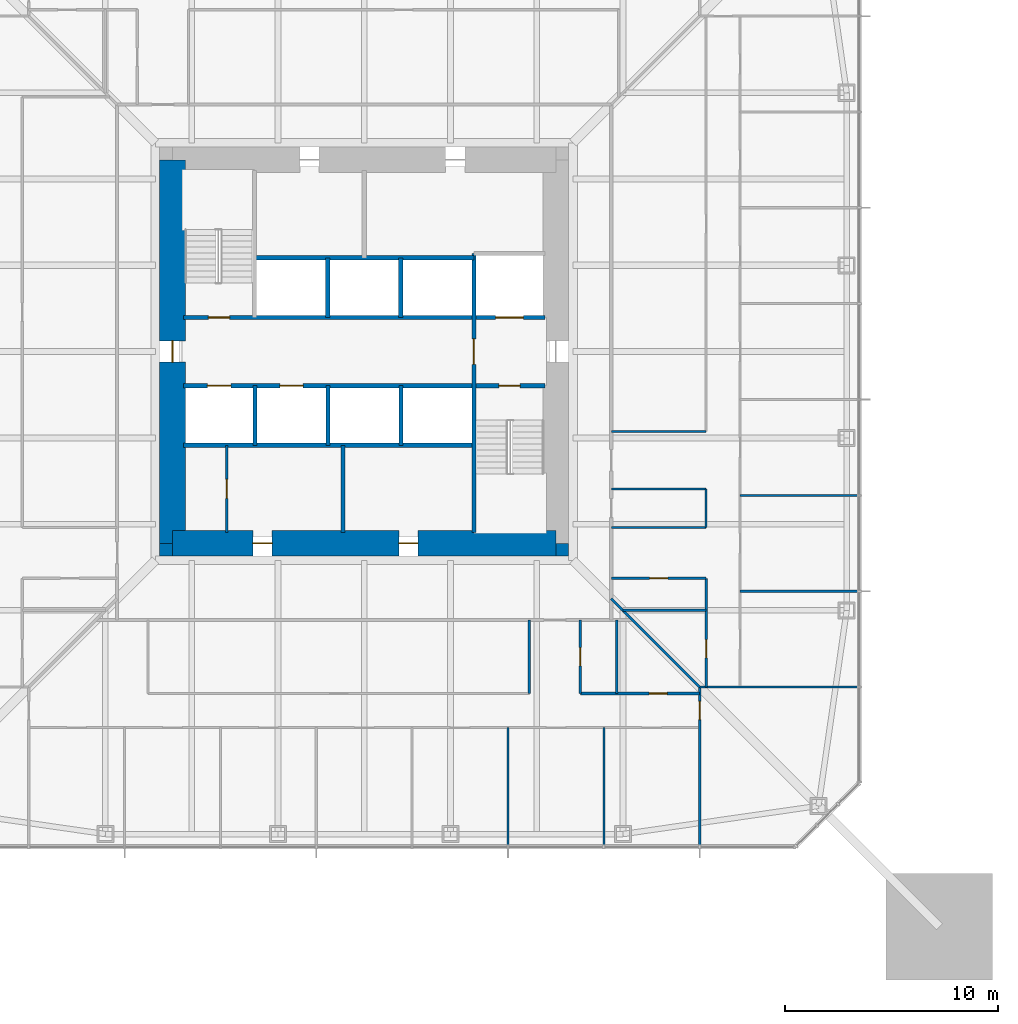
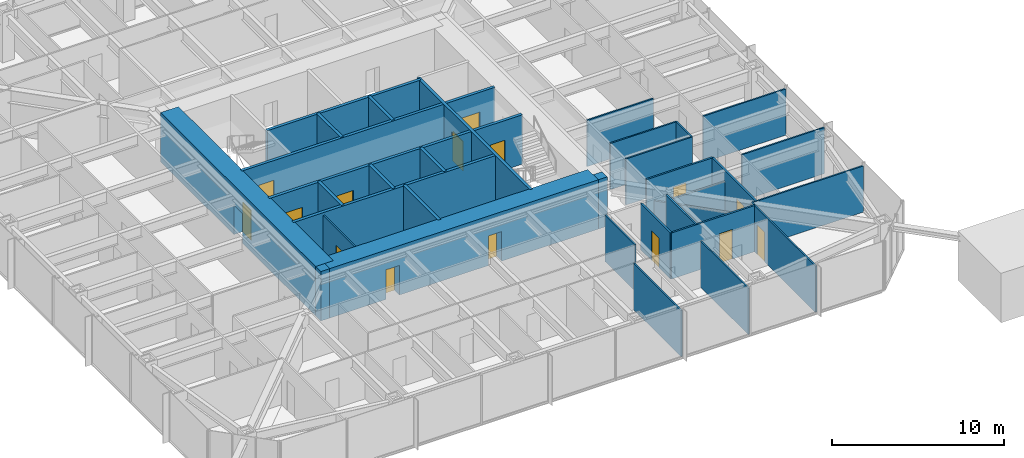
# One storey, part 15 of 26: 34 walls, 15 doors, 15 openings.
"""IFC4 building model written with IfcOpenShell, lengths in metres."""

from ifc_helpers import new_model, si_unit, direction, frame, frame_2d, origin, place, context, subcontext, project, spatial, rectangle, extrude, material, layer, layer_set, type_object, element, fill, save


model = new_model("IFC4")

# Units and contexts
model_context = context("Model", 3, precision=1e-05, world=origin(), true_north=direction((0.0, 1.0)))
body_context = subcontext(model_context, "Body", "Model", "MODEL_VIEW")
ifc_project = project(units=[si_unit("LENGTHUNIT", "METRE"), si_unit("AREAUNIT", "SQUARE_METRE"), si_unit("VOLUMEUNIT", "CUBIC_METRE"), si_unit("PLANEANGLEUNIT", "RADIAN"), si_unit("MASSUNIT", "GRAM", prefix="KILO")], contexts=[model_context])

# Site, building, storey
site_placement = place(None, origin())
site = spatial("IfcSite", under=ifc_project, at=site_placement, CompositionType="ELEMENT")
building_placement = place(site_placement, origin())
building = spatial("IfcBuilding", under=site, at=building_placement, Name="Iwan Alto Co-Living Towers", CompositionType="ELEMENT")
storey_placement = place(building_placement, frame((0.0, 0.0, 22.0)))
storey = spatial("IfcBuildingStorey", under=building, at=storey_placement, Name="L05", CompositionType="ELEMENT", Elevation=22.0)

# Walls
ifc_material_1 = material(Name="Gypsum board")
ifc_layer_1 = layer(ifc_material_1, 0.012451171875, Name="Board", Category="Finish")
ifc_material_2 = material(Name="Steel ASTM A1003 ST33H cold-formed studs", Category="steel")
ifc_layer_2 = layer(ifc_material_2, 0.074951171875, Name="Studs", Category="Framing")
ifc_layer_3 = layer(ifc_material_1, 0.012451171875, Name="Board", Category="Finish")
ifc_layer_set_1 = layer_set([ifc_layer_1, ifc_layer_2, ifc_layer_3], Name="PARTITION 100")
wall_type_1 = type_object("IfcWallType", Name="PARTITION 100", PredefinedType="PARTITIONING", material=ifc_layer_set_1)
wall_1_placement = place(storey_placement, frame((15.75, -15.75, 0.0), z_axis=(0.0, 0.0, 1.0), x_axis=(1.0, 0.0, 0.0)))
element("IfcWall", 1, at=wall_1_placement, inside=storey, type_object=wall_type_1, Name="Partition L05", PredefinedType="PARTITIONING", context=body_context, shape_type="SweptSolid", body=[
    extrude(rectangle(XDim=7.43994140625, YDim=0.10009765625, at=frame_2d((3.719970703125, 0.0))), origin(), (0.0, 0.0, 1.0), 3.27001953125),
])
wall_2_placement = place(storey_placement, frame((17.64990234375, -11.25, 0.0), z_axis=(0.0, 0.0, 1.0), x_axis=(1.0, 0.0, 0.0)))
element("IfcWall", 2, at=wall_2_placement, inside=storey, type_object=wall_type_1, Name="Partition L05", PredefinedType="PARTITIONING", context=body_context, shape_type="SweptSolid", body=[
    extrude(rectangle(XDim=5.5400390625, YDim=0.10009765625, at=frame_2d((2.77001953125, 0.0))), origin(), (0.0, 0.0, 1.0), 3.27001953125),
])
wall_3_placement = place(storey_placement, frame((11.60009765625, -8.25, 0.0), z_axis=(0.0, 0.0, 1.0), x_axis=(1.0, 0.0, 0.0)))
element("IfcWall", 3, at=wall_3_placement, inside=storey, type_object=wall_type_1, Name="Partition L05", PredefinedType="PARTITIONING", context=body_context, shape_type="SweptSolid", body=[
    extrude(rectangle(XDim=4.449951171875, YDim=0.10009765625, at=frame_2d((2.22509765625, 0.0))), origin(), (0.0, 0.0, 1.0), 3.27001953125),
])
wall_4_placement = place(storey_placement, frame((17.64990234375, -6.75, 0.0), z_axis=(0.0, 0.0, 1.0), x_axis=(1.0, 0.0, 0.0)))
element("IfcWall", 4, at=wall_4_placement, inside=storey, type_object=wall_type_1, Name="Partition L05", PredefinedType="PARTITIONING", context=body_context, shape_type="SweptSolid", body=[
    extrude(rectangle(XDim=5.5400390625, YDim=0.10009765625, at=frame_2d((2.77001953125, 0.0))), origin(), (0.0, 0.0, 1.0), 3.27001953125),
])
for number, where, z_axis, x_axis, name in (
    (5, (11.60009765625, -6.449951171875, 0.0), (0.0, 0.0, 1.0), (1.0, 0.0, 0.0), "Partition L05"),
    (6, (11.60009765625, -3.75, 0.0), (0.0, 0.0, 1.0), (1.0, 0.0, 0.0), "Partition L05"),
):
    element("IfcWall", number, at=place(storey_placement, frame(where, z_axis=z_axis, x_axis=x_axis)), inside=storey, type_object=wall_type_1, Name=name, PredefinedType="PARTITIONING", context=body_context, shape_type="SweptSolid", body=[
        extrude(rectangle(XDim=4.449951171875, YDim=0.10009765625, at=frame_2d((2.22509765625, 0.0))), origin(), (0.0, 0.0, 1.0), 3.27001953125),
    ])
wall_5_placement = place(storey_placement, frame((16.050048828125, -8.25, 0.0), z_axis=(0.0, 0.0, 1.0), x_axis=(0.0, 1.0, 0.0)))
element("IfcWall", 7, at=wall_5_placement, inside=storey, type_object=wall_type_1, Name="Partition L05", PredefinedType="PARTITIONING", context=body_context, shape_type="SweptSolid", body=[
    extrude(rectangle(XDim=1.800048828125, YDim=0.10009765625, at=frame_2d((0.89990234375, 0.0))), origin(), (0.0, 0.0, 1.0), 3.27001953125),
])

# Wall, opening, door
wall_6_placement = place(storey_placement, frame((15.75, -23.18994140625, 0.0), z_axis=(0.0, 0.0, 1.0), x_axis=(0.0, 1.0, 0.0)))
wall_6 = element("IfcWall", 8, at=wall_6_placement, inside=storey, type_object=wall_type_1, Name="Partition L05", PredefinedType="PARTITIONING", context=body_context, shape_type="SweptSolid", body=[
    extrude(rectangle(XDim=7.43994140625, YDim=0.10009765625, at=frame_2d((3.719970703125, 0.0))), origin(), (0.0, 0.0, 1.0), 3.27001953125),
])
opening_1_placement = place(wall_6_placement, frame((5.9150390625, 0.0, 0.0)))
opening_1 = element("IfcOpeningElement", 9, at=opening_1_placement, cuts=wall_6, Name="Opening D2", PredefinedType="OPENING", context=body_context, shape_type="SweptSolid", body=[
    extrude(rectangle(XDim=0.85009765625, YDim=2.10009765625, at=frame_2d((0.425048828125, 1.050048828125))), frame((0.0, 0.06005859375, 0.0), z_axis=(0.0, -1.0, 0.0), x_axis=(1.0, 0.0, 0.0)), (0.0, 0.0, 1.0), 0.1201171875),
])
ifc_material_3 = material(Name="Timber leaf in steel frame", Category="steel")
door_type_1 = type_object("IfcDoorType", Name="ROOM DOOR 850X2100", OperationType="SINGLE_SWING_LEFT", PredefinedType="DOOR", material=ifc_material_3)
door_1_placement = place(opening_1_placement, origin())
door_1 = element("IfcDoor", 10, at=door_1_placement, inside=storey, type_object=door_type_1, Name="Shared kitchen and lounge door L05", OperationType="SINGLE_SWING_LEFT", OverallHeight=2.10009765625, OverallWidth=0.85009765625, PredefinedType="DOOR", context=body_context, shape_type="SweptSolid", body=[
    extrude(rectangle(XDim=0.85009765625, YDim=2.10009765625, at=frame_2d((0.425048828125, 1.050048828125))), frame((0.0, 0.02490234375, 0.0), z_axis=(0.0, -1.0, 0.0), x_axis=(1.0, 0.0, 0.0)), (0.0, 0.0, 1.0), 0.050048828125),
])
fill(opening_1, door_1)

# Walls
wall_7_placement = place(storey_placement, frame((11.25, -23.18994140625, 0.0), z_axis=(0.0, 0.0, 1.0), x_axis=(0.0, 1.0, 0.0)))
element("IfcWall", 11, at=wall_7_placement, inside=storey, type_object=wall_type_1, Name="Partition L05", PredefinedType="PARTITIONING", context=body_context, shape_type="SweptSolid", body=[
    extrude(rectangle(XDim=5.5400390625, YDim=0.10009765625, at=frame_2d((2.77001953125, 0.0))), origin(), (0.0, 0.0, 1.0), 3.27001953125),
])
wall_8_placement = place(storey_placement, frame((7.75, -16.050048828125, 0.0), z_axis=(0.0, 0.0, 1.0), x_axis=(0.0, 1.0, 0.0)))
element("IfcWall", 12, at=wall_8_placement, inside=storey, type_object=wall_type_1, Name="Partition L05", PredefinedType="PARTITIONING", context=body_context, shape_type="SweptSolid", body=[
    extrude(rectangle(XDim=3.449951171875, YDim=0.10009765625, at=frame_2d((1.72509765625, 0.0))), origin(), (0.0, 0.0, 1.0), 3.27001953125),
])
wall_9_placement = place(storey_placement, frame((6.75, -23.18994140625, 0.0), z_axis=(0.0, 0.0, 1.0), x_axis=(0.0, 1.0, 0.0)))
element("IfcWall", 13, at=wall_9_placement, inside=storey, type_object=wall_type_1, Name="Partition L05", PredefinedType="PARTITIONING", context=body_context, shape_type="SweptSolid", body=[
    extrude(rectangle(XDim=5.5400390625, YDim=0.10009765625, at=frame_2d((2.77001953125, 0.0))), origin(), (0.0, 0.0, 1.0), 3.27001953125),
])

# Wall, opening, door
wall_10_placement = place(storey_placement, frame((-6.449951171875, -8.489990234375, 0.0), z_axis=(0.0, 0.0, 1.0), x_axis=(0.0, 1.0, 0.0)))
wall_10 = element("IfcWall", 14, at=wall_10_placement, inside=storey, type_object=wall_type_1, Name="Partition L05", PredefinedType="PARTITIONING", context=body_context, shape_type="SweptSolid", body=[
    extrude(rectangle(XDim=4.090087890625, YDim=0.10009765625, at=frame_2d((2.044921875, 0.0))), origin(), (0.0, 0.0, 1.0), 3.300048828125),
])
opening_2_placement = place(wall_10_placement, frame((1.594970703125, 0.0, 0.0)))
opening_2 = element("IfcOpeningElement", 15, at=opening_2_placement, cuts=wall_10, Name="Opening D16", PredefinedType="OPENING", context=body_context, shape_type="SweptSolid", body=[
    extrude(rectangle(XDim=0.89990234375, YDim=2.10009765625, at=frame_2d((0.449951171875, 1.050048828125))), frame((0.0, 0.06005859375, 0.0), z_axis=(0.0, -1.0, 0.0), x_axis=(1.0, 0.0, 0.0)), (0.0, 0.0, 1.0), 0.1201171875),
])
ifc_material_4 = material(Name="Timber leaf in steel frame", Category="steel")
door_type_2 = type_object("IfcDoorType", Name="CUPBOARD SLIDING DOOR 900X2100", OperationType="SLIDING_TO_LEFT", PredefinedType="DOOR", material=ifc_material_4)
door_2_placement = place(opening_2_placement, origin())
door_2 = element("IfcDoor", 16, at=door_2_placement, inside=storey, type_object=door_type_2, Name="Bin store door L05", OperationType="SLIDING_TO_LEFT", OverallHeight=2.10009765625, OverallWidth=0.89990234375, PredefinedType="DOOR", context=body_context, shape_type="SweptSolid", body=[
    extrude(rectangle(XDim=0.89990234375, YDim=2.10009765625, at=frame_2d((0.449951171875, 1.050048828125))), frame((0.0, 0.02490234375, 0.0), z_axis=(0.0, -1.0, 0.0), x_axis=(1.0, 0.0, 0.0)), (0.0, 0.0, 1.0), 0.050048828125),
])
fill(opening_2, door_2)

# Wall
ifc_material_5 = material(Name="Concrete f'c 70 MPa", Category="concrete")
ifc_layer_4 = layer(ifc_material_5, 0.199951171875)
ifc_layer_set_2 = layer_set([ifc_layer_4], Name="SHAFT WALL 200")
wall_type_2 = type_object("IfcWallType", Name="SHAFT WALL 200", PredefinedType="SOLIDWALL", material=ifc_layer_set_2)
wall_11_placement = place(storey_placement, frame((-8.489990234375, -4.39990234375, 0.0), z_axis=(0.0, 0.0, 1.0), x_axis=(1.0, 0.0, 0.0)))
element("IfcWall", 17, at=wall_11_placement, inside=storey, type_object=wall_type_2, Name="Shaft wall L05", PredefinedType="SOLIDWALL", context=body_context, shape_type="SweptSolid", body=[
    extrude(rectangle(XDim=13.639892578125, YDim=0.199951171875, at=frame_2d((6.81982421875, 0.0))), origin(), (0.0, 0.0, 1.0), 3.5),
])

# Wall, openings, doors
wall_12_placement = place(storey_placement, frame((-8.489990234375, -1.60009765625, 0.0), z_axis=(0.0, 0.0, 1.0), x_axis=(1.0, 0.0, 0.0)))
wall_12 = element("IfcWall", 18, at=wall_12_placement, inside=storey, type_object=wall_type_2, Name="Shaft wall L05", PredefinedType="SOLIDWALL", context=body_context, shape_type="SweptSolid", body=[
    extrude(rectangle(XDim=16.97998046875, YDim=0.199951171875, at=frame_2d((8.489990234375, 0.0))), origin(), (0.0, 0.0, 1.0), 3.5),
])
opening_3_placement = place(wall_12_placement, frame((14.81005859375, 0.0, 0.0)))
opening_3 = element("IfcOpeningElement", 19, at=opening_3_placement, cuts=wall_12, Name="Opening D5", PredefinedType="OPENING", context=body_context, shape_type="SweptSolid", body=[
    extrude(rectangle(XDim=1.0, YDim=2.10009765625, at=frame_2d((0.5, 1.050048828125))), frame((0.0, 0.10986328125, 0.0), z_axis=(0.0, -1.0, 0.0), x_axis=(1.0, 0.0, 0.0)), (0.0, 0.0, 1.0), 0.219970703125),
])
opening_4_placement = place(wall_12_placement, frame((1.133056640625, 0.0, 0.0)))
opening_4 = element("IfcOpeningElement", 20, at=opening_4_placement, cuts=wall_12, Name="Opening LD", PredefinedType="OPENING", context=body_context, shape_type="SweptSolid", body=[
    extrude(rectangle(XDim=1.10009765625, YDim=2.10009765625, at=frame_2d((0.550048828125, 1.050048828125))), frame((0.0, 0.10986328125, 0.0), z_axis=(0.0, -1.0, 0.0), x_axis=(1.0, 0.0, 0.0)), (0.0, 0.0, 1.0), 0.219970703125),
])
opening_5_placement = place(wall_12_placement, frame((4.528076171875, 0.0, 0.0)))
opening_5 = element("IfcOpeningElement", 21, at=opening_5_placement, cuts=wall_12, Name="Opening LD", PredefinedType="OPENING", context=body_context, shape_type="SweptSolid", body=[
    extrude(rectangle(XDim=1.10009765625, YDim=2.10009765625, at=frame_2d((0.550048828125, 1.050048828125))), frame((0.0, 0.10986328125, 0.0), z_axis=(0.0, -1.0, 0.0), x_axis=(1.0, 0.0, 0.0)), (0.0, 0.0, 1.0), 0.219970703125),
])
ifc_material_6 = material(Name="Steel frame with timber leaf", Category="steel")
door_type_3 = type_object("IfcDoorType", Name="LIFT LANDING DOOR 1100X2100", OperationType="DOUBLE_DOOR_SLIDING", PredefinedType="DOOR", material=ifc_material_6)
door_3_placement = place(opening_4_placement, origin())
door_3 = element("IfcDoor", 22, at=door_3_placement, inside=storey, type_object=door_type_3, Name="Lift P1-1 landing door L05", OperationType="DOUBLE_DOOR_SLIDING", OverallHeight=2.10009765625, OverallWidth=1.10009765625, PredefinedType="DOOR", context=body_context, shape_type="SweptSolid", body=[
    extrude(rectangle(XDim=1.10009765625, YDim=2.10009765625, at=frame_2d((0.550048828125, 1.050048828125))), frame((0.0, 0.02490234375, 0.0), z_axis=(0.0, -1.0, 0.0), x_axis=(1.0, 0.0, 0.0)), (0.0, 0.0, 1.0), 0.050048828125),
])
fill(opening_4, door_3)
door_4_placement = place(opening_5_placement, origin())
door_4 = element("IfcDoor", 23, at=door_4_placement, inside=storey, type_object=door_type_3, Name="Lift P1-2 landing door L05", OperationType="DOUBLE_DOOR_SLIDING", OverallHeight=2.10009765625, OverallWidth=1.10009765625, PredefinedType="DOOR", context=body_context, shape_type="SweptSolid", body=[
    extrude(rectangle(XDim=1.10009765625, YDim=2.10009765625, at=frame_2d((0.550048828125, 1.050048828125))), frame((0.0, 0.02490234375, 0.0), z_axis=(0.0, -1.0, 0.0), x_axis=(1.0, 0.0, 0.0)), (0.0, 0.0, 1.0), 0.050048828125),
])
fill(opening_5, door_4)
ifc_material_7 = material(Name="Steel frame with timber leaf", Category="steel")
door_type_4 = type_object("IfcDoorType", Name="STAIR DOOR FD120S 1000X2100", OperationType="SINGLE_SWING_LEFT", PredefinedType="DOOR", material=ifc_material_7)
door_5_placement = place(opening_3_placement, frame((1.0, 0.0, 0.0), z_axis=(0.0, 0.0, 1.0), x_axis=(-1.0, 0.0, 0.0)))
door_5 = element("IfcDoor", 24, at=door_5_placement, inside=storey, type_object=door_type_4, Name="Stair S2 door L05", OperationType="SINGLE_SWING_RIGHT", OverallHeight=2.10009765625, OverallWidth=1.0, PredefinedType="DOOR", context=body_context, shape_type="SweptSolid", body=[
    extrude(rectangle(XDim=1.0, YDim=2.10009765625, at=frame_2d((0.5, 1.050048828125))), frame((0.0, 0.02490234375, 0.0), z_axis=(0.0, -1.0, 0.0), x_axis=(1.0, 0.0, 0.0)), (0.0, 0.0, 1.0), 0.050048828125),
])
fill(opening_3, door_5)

wall_13_placement = place(storey_placement, frame((-8.489990234375, 1.60009765625, 0.0), z_axis=(0.0, 0.0, 1.0), x_axis=(1.0, 0.0, 0.0)))
wall_13 = element("IfcWall", 25, at=wall_13_placement, inside=storey, type_object=wall_type_2, Name="Shaft wall L05", PredefinedType="SOLIDWALL", context=body_context, shape_type="SweptSolid", body=[
    extrude(rectangle(XDim=16.97998046875, YDim=0.199951171875, at=frame_2d((8.489990234375, 0.0))), origin(), (0.0, 0.0, 1.0), 3.5),
])
opening_6_placement = place(wall_13_placement, frame((1.169921875, 0.0, 0.0)))
opening_6 = element("IfcOpeningElement", 26, at=opening_6_placement, cuts=wall_13, Name="Opening D5", PredefinedType="OPENING", context=body_context, shape_type="SweptSolid", body=[
    extrude(rectangle(XDim=1.0, YDim=2.10009765625, at=frame_2d((0.5, 1.050048828125))), frame((0.0, 0.10986328125, 0.0), z_axis=(0.0, -1.0, 0.0), x_axis=(1.0, 0.0, 0.0)), (0.0, 0.0, 1.0), 0.219970703125),
])
opening_7_placement = place(wall_13_placement, frame((14.659912109375, 0.0, 0.0)))
opening_7 = element("IfcOpeningElement", 27, at=opening_7_placement, cuts=wall_13, Name="Opening LD2", PredefinedType="OPENING", context=body_context, shape_type="SweptSolid", body=[
    extrude(rectangle(XDim=1.300048828125, YDim=2.10009765625, at=frame_2d((0.64990234375, 1.050048828125))), frame((0.0, 0.10986328125, 0.0), z_axis=(0.0, -1.0, 0.0), x_axis=(1.0, 0.0, 0.0)), (0.0, 0.0, 1.0), 0.219970703125),
])
ifc_material_8 = material(Name="Steel frame with timber leaf", Category="steel")
door_type_5 = type_object("IfcDoorType", Name="LIFT LANDING DOOR 1300X2100", OperationType="SLIDING_TO_LEFT", PredefinedType="DOOR", material=ifc_material_8)
door_6_placement = place(opening_7_placement, origin())
door_6 = element("IfcDoor", 28, at=door_6_placement, inside=storey, type_object=door_type_5, Name="Lift FL1 landing door L05", OperationType="SLIDING_TO_LEFT", OverallHeight=2.10009765625, OverallWidth=1.300048828125, PredefinedType="DOOR", context=body_context, shape_type="SweptSolid", body=[
    extrude(rectangle(XDim=1.300048828125, YDim=2.10009765625, at=frame_2d((0.64990234375, 1.050048828125))), frame((0.0, 0.02490234375, 0.0), z_axis=(0.0, -1.0, 0.0), x_axis=(1.0, 0.0, 0.0)), (0.0, 0.0, 1.0), 0.050048828125),
])
fill(opening_7, door_6)
door_7_placement = place(opening_6_placement, origin())
door_7 = element("IfcDoor", 29, at=door_7_placement, inside=storey, type_object=door_type_4, Name="Stair S1 door L05", OperationType="SINGLE_SWING_RIGHT", OverallHeight=2.10009765625, OverallWidth=1.0, PredefinedType="DOOR", context=body_context, shape_type="SweptSolid", body=[
    extrude(rectangle(XDim=1.0, YDim=2.10009765625, at=frame_2d((0.5, 1.050048828125))), frame((0.0, 0.02490234375, 0.0), z_axis=(0.0, -1.0, 0.0), x_axis=(1.0, 0.0, 0.0)), (0.0, 0.0, 1.0), 0.050048828125),
])
fill(opening_6, door_7)

# Wall
wall_14_placement = place(storey_placement, frame((-5.14990234375, 4.39990234375, 0.0), z_axis=(0.0, 0.0, 1.0), x_axis=(1.0, 0.0, 0.0)))
element("IfcWall", 30, at=wall_14_placement, inside=storey, type_object=wall_type_2, Name="Shaft wall L05", PredefinedType="SOLIDWALL", context=body_context, shape_type="SweptSolid", body=[
    extrude(rectangle(XDim=10.2998046875, YDim=0.199951171875, at=frame_2d((5.14990234375, 0.0))), origin(), (0.0, 0.0, 1.0), 3.5),
])

# Wall, opening, door
wall_15_placement = place(storey_placement, frame((5.14990234375, -8.489990234375, 0.0), z_axis=(0.0, 0.0, 1.0), x_axis=(0.0, 1.0, 0.0)))
wall_15 = element("IfcWall", 31, at=wall_15_placement, inside=storey, type_object=wall_type_2, Name="Shaft wall L05", PredefinedType="SOLIDWALL", context=body_context, shape_type="SweptSolid", body=[
    extrude(rectangle(XDim=13.090087890625, YDim=0.199951171875, at=frame_2d((6.544921875, 0.0))), origin(), (0.0, 0.0, 1.0), 3.5),
])
opening_8_placement = place(wall_15_placement, frame((7.889892578125, 0.0, 0.0)))
opening_8 = element("IfcOpeningElement", 32, at=opening_8_placement, cuts=wall_15, Name="Opening D6", PredefinedType="OPENING", context=body_context, shape_type="SweptSolid", body=[
    extrude(rectangle(XDim=1.199951171875, YDim=2.10009765625, at=frame_2d((0.60009765625, 1.050048828125))), frame((0.0, 0.10986328125, 0.0), z_axis=(0.0, -1.0, 0.0), x_axis=(1.0, 0.0, 0.0)), (0.0, 0.0, 1.0), 0.219970703125),
])
ifc_material_9 = material(Name="Steel frame with timber leaf", Category="steel")
door_type_6 = type_object("IfcDoorType", Name="LOBBY DOOR FD120S 1200X2100", OperationType="SINGLE_SWING_LEFT", PredefinedType="DOOR", material=ifc_material_9)
door_8_placement = place(opening_8_placement, frame((1.199951171875, 0.0, 0.0), z_axis=(0.0, 0.0, 1.0), x_axis=(-1.0, 0.0, 0.0)))
door_8 = element("IfcDoor", 33, at=door_8_placement, inside=storey, type_object=door_type_6, Name="Firefighting lobby door L05", OperationType="SINGLE_SWING_RIGHT", OverallHeight=2.10009765625, OverallWidth=1.199951171875, PredefinedType="DOOR", context=body_context, shape_type="SweptSolid", body=[
    extrude(rectangle(XDim=1.199951171875, YDim=2.10009765625, at=frame_2d((0.60009765625, 1.050048828125))), frame((0.0, 0.02490234375, 0.0), z_axis=(0.0, -1.0, 0.0), x_axis=(1.0, 0.0, 0.0)), (0.0, 0.0, 1.0), 0.050048828125),
])
fill(opening_8, door_8)

# Walls
for number, where, z_axis, x_axis, name in (
    (34, (1.72509765625, -4.39990234375, 0.0), (0.0, 0.0, 1.0), (0.0, 1.0, 0.0), "Shaft wall L05"),
    (35, (1.717041015625, 1.60009765625, 0.0), (0.0, 0.0, 1.0), (0.0, 1.0, 0.0), "Shaft wall L05"),
):
    element("IfcWall", number, at=place(storey_placement, frame(where, z_axis=z_axis, x_axis=x_axis)), inside=storey, type_object=wall_type_2, Name=name, PredefinedType="SOLIDWALL", context=body_context, shape_type="SweptSolid", body=[
        extrude(rectangle(XDim=2.7998046875, YDim=0.199951171875, at=frame_2d((1.39990234375, 0.0))), origin(), (0.0, 0.0, 1.0), 3.5),
    ])
wall_16_placement = place(storey_placement, frame((-1.0, -8.489990234375, 0.0), z_axis=(0.0, 0.0, 1.0), x_axis=(0.0, 1.0, 0.0)))
element("IfcWall", 36, at=wall_16_placement, inside=storey, type_object=wall_type_2, Name="Shaft wall L05", PredefinedType="SOLIDWALL", context=body_context, shape_type="SweptSolid", body=[
    extrude(rectangle(XDim=4.090087890625, YDim=0.199951171875, at=frame_2d((2.044921875, 0.0))), origin(), (0.0, 0.0, 1.0), 3.5),
])
for number, where, z_axis, x_axis, name in (
    (37, (-1.699951171875, -4.39990234375, 0.0), (0.0, 0.0, 1.0), (0.0, 1.0, 0.0), "Shaft wall L05"),
    (38, (-1.717041015625, 1.60009765625, 0.0), (0.0, 0.0, 1.0), (0.0, 1.0, 0.0), "Shaft wall L05"),
    (39, (-5.125, -4.39990234375, 0.0), (0.0, 0.0, 1.0), (0.0, 1.0, 0.0), "Shaft wall L05"),
):
    element("IfcWall", number, at=place(storey_placement, frame(where, z_axis=z_axis, x_axis=x_axis)), inside=storey, type_object=wall_type_2, Name=name, PredefinedType="SOLIDWALL", context=body_context, shape_type="SweptSolid", body=[
        extrude(rectangle(XDim=2.7998046875, YDim=0.199951171875, at=frame_2d((1.39990234375, 0.0))), origin(), (0.0, 0.0, 1.0), 3.5),
    ])
ifc_material_10 = material(Name="Concrete f'c 70 MPa", Category="concrete")
ifc_layer_5 = layer(ifc_material_10, 0.60009765625)
ifc_layer_set_3 = layer_set([ifc_layer_5], Name="T1 CORE CORNER FILL 600")
wall_type_3 = type_object("IfcWallType", Name="T1 CORE CORNER FILL 600", PredefinedType="SOLIDWALL", material=ifc_layer_set_3)
for number, where, z_axis, x_axis, name in (
    (40, (-9.60009765625, -9.300048828125, 0.0), (0.0, 0.0, 1.0), (1.0, 0.0, 0.0), "T1 core corner SW L05"),
    (41, (9.0, -9.300048828125, 0.0), (0.0, 0.0, 1.0), (1.0, 0.0, 0.0), "T1 core corner SE L05"),
):
    element("IfcWall", number, at=place(storey_placement, frame(where, z_axis=z_axis, x_axis=x_axis)), inside=storey, type_object=wall_type_3, Name=name, PredefinedType="SOLIDWALL", context=body_context, shape_type="SweptSolid", body=[
        extrude(rectangle(XDim=0.60009765625, YDim=0.60009765625, at=frame_2d((0.300048828125, 0.0))), origin(), (0.0, 0.0, 1.0), 3.5),
    ])

# Wall, openings, doors
ifc_material_11 = material(Name="Concrete f'c 70 MPa", Category="concrete")
ifc_layer_6 = layer(ifc_material_11, 1.199951171875)
ifc_layer_set_4 = layer_set([ifc_layer_6], Name="T1 CORE WALL 1200")
wall_type_4 = type_object("IfcWallType", Name="T1 CORE WALL 1200", PredefinedType="SHEAR", material=ifc_layer_set_4)
wall_17_placement = place(storey_placement, frame((-9.0, -9.0, 0.0), z_axis=(0.0, 0.0, 1.0), x_axis=(1.0, 0.0, 0.0)))
wall_17 = element("IfcWall", 42, at=wall_17_placement, inside=storey, type_object=wall_type_4, Name="T1 core wall S L05", PredefinedType="SHEAR", context=body_context, shape_type="SweptSolid", body=[
    extrude(rectangle(XDim=18.0, YDim=1.199951171875, at=frame_2d((9.0, 0.0))), origin(), (0.0, 0.0, 1.0), 3.5),
])
opening_9_placement = place(wall_17_placement, frame((3.77490234375, 0.0, 0.0)))
opening_9 = element("IfcOpeningElement", 43, at=opening_9_placement, cuts=wall_17, Name="Opening D8", PredefinedType="OPENING", context=body_context, shape_type="SweptSolid", body=[
    extrude(rectangle(XDim=0.89990234375, YDim=2.10009765625, at=frame_2d((0.449951171875, 1.050048828125))), frame((0.0, 0.60986328125, 0.0), z_axis=(0.0, -1.0, 0.0), x_axis=(1.0, 0.0, 0.0)), (0.0, 0.0, 1.0), 1.219970703125),
])
opening_10_placement = place(wall_17_placement, frame((10.625, 0.0, 0.0)))
opening_10 = element("IfcOpeningElement", 44, at=opening_10_placement, cuts=wall_17, Name="Opening D8", PredefinedType="OPENING", context=body_context, shape_type="SweptSolid", body=[
    extrude(rectangle(XDim=0.89990234375, YDim=2.10009765625, at=frame_2d((0.449951171875, 1.050048828125))), frame((0.0, 0.60986328125, 0.0), z_axis=(0.0, -1.0, 0.0), x_axis=(1.0, 0.0, 0.0)), (0.0, 0.0, 1.0), 1.219970703125),
])
ifc_material_12 = material(Name="Steel frame with timber leaf", Category="steel")
door_type_7 = type_object("IfcDoorType", Name="RISER DOOR FD120 900X2100", OperationType="SINGLE_SWING_LEFT", PredefinedType="DOOR", material=ifc_material_12)
door_9_placement = place(opening_9_placement, origin())
door_9 = element("IfcDoor", 45, at=door_9_placement, inside=storey, type_object=door_type_7, Name="Refuse room core door L05", OperationType="SINGLE_SWING_LEFT", OverallHeight=2.10009765625, OverallWidth=0.89990234375, PredefinedType="DOOR", context=body_context, shape_type="SweptSolid", body=[
    extrude(rectangle(XDim=0.89990234375, YDim=2.10009765625, at=frame_2d((0.449951171875, 1.050048828125))), frame((0.0, 0.02490234375, 0.0), z_axis=(0.0, -1.0, 0.0), x_axis=(1.0, 0.0, 0.0)), (0.0, 0.0, 1.0), 0.050048828125),
])
fill(opening_9, door_9)
door_10_placement = place(opening_10_placement, origin())
door_10 = element("IfcDoor", 46, at=door_10_placement, inside=storey, type_object=door_type_7, Name="Telecom riser core door L05", OperationType="SINGLE_SWING_LEFT", OverallHeight=2.10009765625, OverallWidth=0.89990234375, PredefinedType="DOOR", context=body_context, shape_type="SweptSolid", body=[
    extrude(rectangle(XDim=0.89990234375, YDim=2.10009765625, at=frame_2d((0.449951171875, 1.050048828125))), frame((0.0, 0.02490234375, 0.0), z_axis=(0.0, -1.0, 0.0), x_axis=(1.0, 0.0, 0.0)), (0.0, 0.0, 1.0), 0.050048828125),
])
fill(opening_10, door_10)

# Wall, opening, door
wall_18_placement = place(storey_placement, frame((-9.0, 9.0, 0.0), z_axis=(0.0, 0.0, 1.0), x_axis=(0.0, -1.0, 0.0)))
wall_18 = element("IfcWall", 47, at=wall_18_placement, inside=storey, type_object=wall_type_4, Name="T1 core wall W L05", PredefinedType="SHEAR", context=body_context, shape_type="SweptSolid", body=[
    extrude(rectangle(XDim=18.0, YDim=1.199951171875, at=frame_2d((9.0, 0.0))), origin(), (0.0, 0.0, 1.0), 3.5),
])
opening_11_placement = place(wall_18_placement, frame((8.5, 0.0, 0.0)))
opening_11 = element("IfcOpeningElement", 48, at=opening_11_placement, cuts=wall_18, Name="Opening D7", PredefinedType="OPENING", context=body_context, shape_type="SweptSolid", body=[
    extrude(rectangle(XDim=1.0, YDim=2.10009765625, at=frame_2d((0.5, 1.050048828125))), frame((0.0, 0.60986328125, 0.0), z_axis=(0.0, -1.0, 0.0), x_axis=(1.0, 0.0, 0.0)), (0.0, 0.0, 1.0), 1.219970703125),
])
ifc_material_13 = material(Name="Steel frame with timber leaf", Category="steel")
door_type_8 = type_object("IfcDoorType", Name="CORE DOOR FD120S 1000X2100", OperationType="SINGLE_SWING_LEFT", PredefinedType="DOOR", material=ifc_material_13)
door_11_placement = place(opening_11_placement, origin())
door_11 = element("IfcDoor", 49, at=door_11_placement, inside=storey, type_object=door_type_8, Name="Lift lobby core door L05", OperationType="SINGLE_SWING_RIGHT", OverallHeight=2.10009765625, OverallWidth=1.0, PredefinedType="DOOR", context=body_context, shape_type="SweptSolid", body=[
    extrude(rectangle(XDim=1.0, YDim=2.10009765625, at=frame_2d((0.5, 1.050048828125))), frame((0.0, 0.02490234375, 0.0), z_axis=(0.0, -1.0, 0.0), x_axis=(1.0, 0.0, 0.0)), (0.0, 0.0, 1.0), 0.050048828125),
])
fill(opening_11, door_11)

ifc_material_14 = material(Name="Cement board")
ifc_layer_7 = layer(ifc_material_14, 0.012451171875, Name="Board", Category="Finish")
ifc_layer_8 = layer(ifc_material_2, 0.094970703125, Name="Studs", Category="Framing")
ifc_layer_9 = layer(ifc_material_14, 0.012451171875, Name="Board", Category="Finish")
ifc_layer_set_5 = layer_set([ifc_layer_7, ifc_layer_8, ifc_layer_9], Name="WET AREA PARTITION 120")
wall_type_5 = type_object("IfcWallType", Name="WET AREA PARTITION 120", PredefinedType="PARTITIONING", material=ifc_layer_set_5)
wall_19_placement = place(storey_placement, frame((10.14990234375, -16.050048828125, 0.0), z_axis=(0.0, 0.0, 1.0), x_axis=(1.0, 0.0, 0.0)))
wall_19 = element("IfcWall", 50, at=wall_19_placement, inside=storey, type_object=wall_type_5, Name="Partition L05", PredefinedType="PARTITIONING", context=body_context, shape_type="SweptSolid", body=[
    extrude(rectangle(XDim=5.60009765625, YDim=0.1201171875, at=frame_2d((2.800048828125, 0.0))), origin(), (0.0, 0.0, 1.0), 3.27001953125),
])
opening_12_placement = place(wall_19_placement, frame((3.22509765625, 0.0, 0.0)))
opening_12 = element("IfcOpeningElement", 51, at=opening_12_placement, cuts=wall_19, Name="Opening D2", PredefinedType="OPENING", context=body_context, shape_type="SweptSolid", body=[
    extrude(rectangle(XDim=0.85009765625, YDim=2.10009765625, at=frame_2d((0.425048828125, 1.050048828125))), frame((0.0, 0.070068359375, 0.0), z_axis=(0.0, -1.0, 0.0), x_axis=(1.0, 0.0, 0.0)), (0.0, 0.0, 1.0), 0.14013671875),
])
door_12_placement = place(opening_12_placement, frame((0.85009765625, 0.0, 0.0), z_axis=(0.0, 0.0, 1.0), x_axis=(-1.0, 0.0, 0.0)))
door_12 = element("IfcDoor", 52, at=door_12_placement, inside=storey, type_object=door_type_1, Name="Accessible bathroom door L05", OperationType="SINGLE_SWING_LEFT", OverallHeight=2.10009765625, OverallWidth=0.85009765625, PredefinedType="DOOR", context=body_context, shape_type="SweptSolid", body=[
    extrude(rectangle(XDim=0.85009765625, YDim=2.10009765625, at=frame_2d((0.425048828125, 1.050048828125))), frame((0.0, 0.02490234375, 0.0), z_axis=(0.0, -1.0, 0.0), x_axis=(1.0, 0.0, 0.0)), (0.0, 0.0, 1.0), 0.050048828125),
])
fill(opening_12, door_12)

# Wall
wall_20_placement = place(storey_placement, frame((12.14990234375, -12.14990234375, 0.0), z_axis=(0.0, 0.0, 1.0), x_axis=(1.0, 0.0, 0.0)))
element("IfcWall", 53, at=wall_20_placement, inside=storey, type_object=wall_type_5, Name="Partition L05", PredefinedType="PARTITIONING", context=body_context, shape_type="SweptSolid", body=[
    extrude(rectangle(XDim=3.900146484375, YDim=0.1201171875, at=frame_2d((1.9501953125, 0.0))), origin(), (0.0, 0.0, 1.0), 2.508056640625),
])

# Wall, opening, door
wall_21_placement = place(storey_placement, frame((11.60009765625, -10.64990234375, 0.0), z_axis=(0.0, 0.0, 1.0), x_axis=(1.0, 0.0, 0.0)))
wall_21 = element("IfcWall", 54, at=wall_21_placement, inside=storey, type_object=wall_type_5, Name="Partition L05", PredefinedType="PARTITIONING", context=body_context, shape_type="SweptSolid", body=[
    extrude(rectangle(XDim=4.449951171875, YDim=0.1201171875, at=frame_2d((2.22509765625, 0.0))), origin(), (0.0, 0.0, 1.0), 3.27001953125),
])
opening_13_placement = place(wall_21_placement, frame((1.800048828125, 0.0, 0.0)))
opening_13 = element("IfcOpeningElement", 55, at=opening_13_placement, cuts=wall_21, Name="Opening D2", PredefinedType="OPENING", context=body_context, shape_type="SweptSolid", body=[
    extrude(rectangle(XDim=0.85009765625, YDim=2.10009765625, at=frame_2d((0.425048828125, 1.050048828125))), frame((0.0, 0.070068359375, 0.0), z_axis=(0.0, -1.0, 0.0), x_axis=(1.0, 0.0, 0.0)), (0.0, 0.0, 1.0), 0.14013671875),
])
door_13_placement = place(opening_13_placement, origin())
door_13 = element("IfcDoor", 56, at=door_13_placement, inside=storey, type_object=door_type_1, Name="Bathroom door L05", OperationType="SINGLE_SWING_LEFT", OverallHeight=2.10009765625, OverallWidth=0.85009765625, PredefinedType="DOOR", context=body_context, shape_type="SweptSolid", body=[
    extrude(rectangle(XDim=0.85009765625, YDim=2.10009765625, at=frame_2d((0.425048828125, 1.050048828125))), frame((0.0, 0.02490234375, 0.0), z_axis=(0.0, -1.0, 0.0), x_axis=(1.0, 0.0, 0.0)), (0.0, 0.0, 1.0), 0.050048828125),
])
fill(opening_13, door_13)

wall_22_placement = place(storey_placement, frame((16.050048828125, -15.75, 0.0), z_axis=(0.0, 0.0, 1.0), x_axis=(0.0, 1.0, 0.0)))
wall_22 = element("IfcWall", 57, at=wall_22_placement, inside=storey, type_object=wall_type_5, Name="Partition L05", PredefinedType="PARTITIONING", context=body_context, shape_type="SweptSolid", body=[
    extrude(rectangle(XDim=5.10009765625, YDim=0.1201171875, at=frame_2d((2.550048828125, 0.0))), origin(), (0.0, 0.0, 1.0), 3.27001953125),
])
opening_14_placement = place(wall_22_placement, frame((1.375, 0.0, 0.0)))
opening_14 = element("IfcOpeningElement", 58, at=opening_14_placement, cuts=wall_22, Name="Opening D2", PredefinedType="OPENING", context=body_context, shape_type="SweptSolid", body=[
    extrude(rectangle(XDim=0.85009765625, YDim=2.10009765625, at=frame_2d((0.425048828125, 1.050048828125))), frame((0.0, 0.070068359375, 0.0), z_axis=(0.0, -1.0, 0.0), x_axis=(1.0, 0.0, 0.0)), (0.0, 0.0, 1.0), 0.14013671875),
])
door_14_placement = place(opening_14_placement, frame((0.85009765625, 0.0, 0.0), z_axis=(0.0, 0.0, 1.0), x_axis=(-1.0, 0.0, 0.0)))
door_14 = element("IfcDoor", 59, at=door_14_placement, inside=storey, type_object=door_type_1, Name="Accessible bathroom door L05", OperationType="SINGLE_SWING_RIGHT", OverallHeight=2.10009765625, OverallWidth=0.85009765625, PredefinedType="DOOR", context=body_context, shape_type="SweptSolid", body=[
    extrude(rectangle(XDim=0.85009765625, YDim=2.10009765625, at=frame_2d((0.425048828125, 1.050048828125))), frame((0.0, 0.02490234375, 0.0), z_axis=(0.0, -1.0, 0.0), x_axis=(1.0, 0.0, 0.0)), (0.0, 0.0, 1.0), 0.050048828125),
])
fill(opening_14, door_14)

# Wall
wall_23_placement = place(storey_placement, frame((11.85009765625, -16.050048828125, 0.0), z_axis=(0.0, 0.0, 1.0), x_axis=(0.0, 1.0, 0.0)))
element("IfcWall", 60, at=wall_23_placement, inside=storey, type_object=wall_type_5, Name="Partition L05", PredefinedType="PARTITIONING", context=body_context, shape_type="SweptSolid", body=[
    extrude(rectangle(XDim=3.449951171875, YDim=0.1201171875, at=frame_2d((1.72509765625, 0.0))), origin(), (0.0, 0.0, 1.0), 3.27001953125),
])

# Wall, opening, door
wall_24_placement = place(storey_placement, frame((10.14990234375, -16.050048828125, 0.0), z_axis=(0.0, 0.0, 1.0), x_axis=(0.0, 1.0, 0.0)))
wall_24 = element("IfcWall", 61, at=wall_24_placement, inside=storey, type_object=wall_type_5, Name="Partition L05", PredefinedType="PARTITIONING", context=body_context, shape_type="SweptSolid", body=[
    extrude(rectangle(XDim=3.449951171875, YDim=0.1201171875, at=frame_2d((1.72509765625, 0.0))), origin(), (0.0, 0.0, 1.0), 3.27001953125),
])
opening_15_placement = place(wall_24_placement, frame((1.300048828125, 0.0, 0.0)))
opening_15 = element("IfcOpeningElement", 62, at=opening_15_placement, cuts=wall_24, Name="Opening D2", PredefinedType="OPENING", context=body_context, shape_type="SweptSolid", body=[
    extrude(rectangle(XDim=0.85009765625, YDim=2.10009765625, at=frame_2d((0.425048828125, 1.050048828125))), frame((0.0, 0.070068359375, 0.0), z_axis=(0.0, -1.0, 0.0), x_axis=(1.0, 0.0, 0.0)), (0.0, 0.0, 1.0), 0.14013671875),
])
door_15_placement = place(opening_15_placement, origin())
door_15 = element("IfcDoor", 63, at=door_15_placement, inside=storey, type_object=door_type_1, Name="Bathroom door L05", OperationType="SINGLE_SWING_RIGHT", OverallHeight=2.10009765625, OverallWidth=0.85009765625, PredefinedType="DOOR", context=body_context, shape_type="SweptSolid", body=[
    extrude(rectangle(XDim=0.85009765625, YDim=2.10009765625, at=frame_2d((0.425048828125, 1.050048828125))), frame((0.0, 0.02490234375, 0.0), z_axis=(0.0, -1.0, 0.0), x_axis=(1.0, 0.0, 0.0)), (0.0, 0.0, 1.0), 0.050048828125),
])
fill(opening_15, door_15)

# Wall
wall_25_placement = place(storey_placement, frame((15.75, -15.75, 0.0), z_axis=(0.0, 0.0, 1.0), x_axis=(-0.707106781187, 0.707106781187, 0.0)))
element("IfcWall", 64, at=wall_25_placement, inside=storey, type_object=wall_type_5, Name="Partition L05", PredefinedType="PARTITIONING", context=body_context, shape_type="SweptSolid", body=[
    extrude(rectangle(XDim=5.868896484375, YDim=0.1201171875, at=frame_2d((2.9345703125, 0.0))), origin(), (0.0, 0.0, 1.0), 2.343017578125),
])

save(model, "model.ifc")
